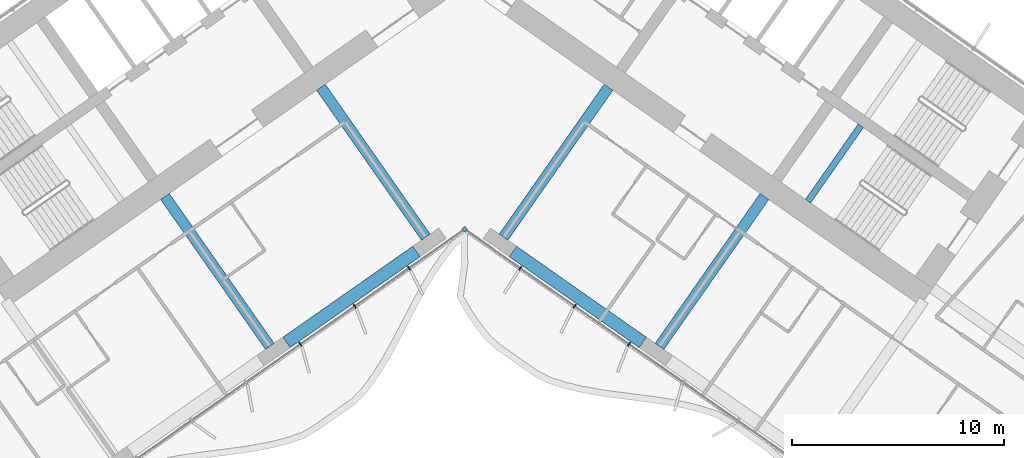
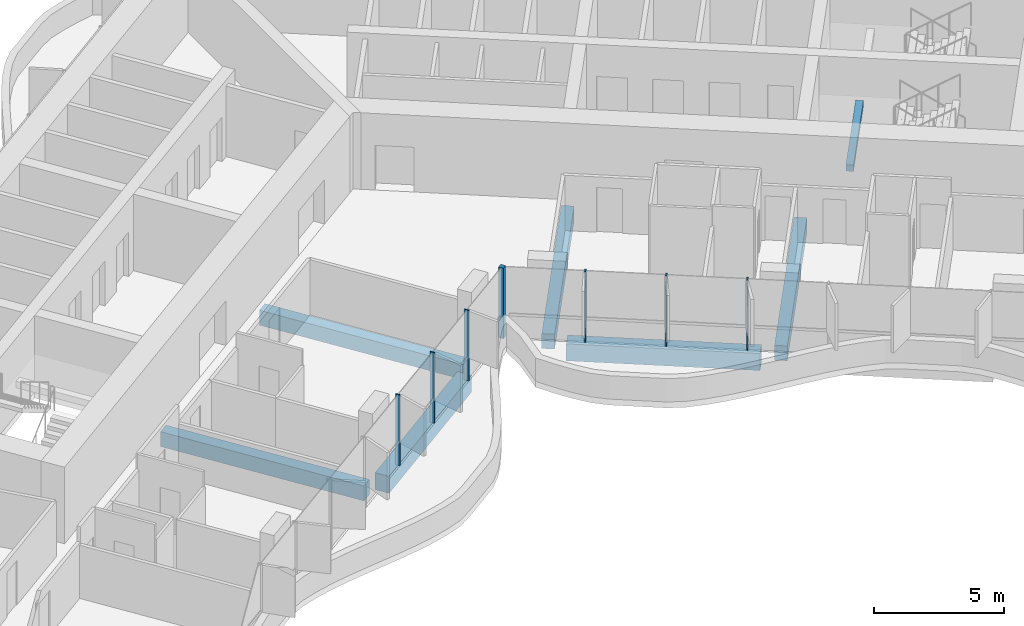
# One storey, part 6 of 24: 7 beams, 7 members, 1 element without a shape of its own.
"""IFC4 building model written with IfcOpenShell, lengths in metres."""

from ifc_helpers import new_model, si_unit, direction, frame, origin, origin_2d, place, context, subcontext, project, spatial, rectangle, extrude, material, material_profile, profile_set, type_object, element, aggregate, save


model = new_model("IFC4")

# Units and contexts
model_context = context("Model", 3, precision=1e-05, world=origin(), true_north=direction((0.0, 1.0)))
body_context = subcontext(model_context, "Body", "Model", "MODEL_VIEW")
ifc_project = project(units=[si_unit("LENGTHUNIT", "METRE"), si_unit("AREAUNIT", "SQUARE_METRE"), si_unit("VOLUMEUNIT", "CUBIC_METRE"), si_unit("PLANEANGLEUNIT", "RADIAN"), si_unit("MASSUNIT", "GRAM", prefix="KILO")], contexts=[model_context])

# Site, building, storey
site_placement = place(None, origin())
site = spatial("IfcSite", under=ifc_project, at=site_placement, CompositionType="ELEMENT")
building_placement = place(site_placement, origin())
building = spatial("IfcBuilding", under=site, at=building_placement, Name="Tel Ilan Convention Tower", CompositionType="ELEMENT")
storey_placement = place(building_placement, frame((0.0, 0.0, 65.300048828125)))
storey = spatial("IfcBuildingStorey", under=building, at=storey_placement, Name="L11", CompositionType="ELEMENT", Elevation=65.300048828125)

# Beams
ifc_material_1 = material(Name="Concrete C40/50", Category="concrete")
ifc_material_profile_1 = material_profile(ifc_material_1, rectangle(XDim=0.5, YDim=0.699951171875, at=origin_2d()), Name="RC 500x700")
ifc_profile_set_1 = profile_set([ifc_material_profile_1], Name="Concrete C40/50")
beam_type_1 = type_object("IfcBeamType", Name="Beam RC 500x700 Concrete C40/50", PredefinedType="BEAM", material=ifc_profile_set_1)
for number, where, z_axis, x_axis, name in (
    (1, (-1.83740234375, -13.06689453125, -0.630126953125), (-0.573574099654, 0.819153680457, 0.0), (-0.819153680457, -0.573574099654, 0.0), "L11 beam W-W-F1-core"),
    (2, (-9.209716796875, -18.229248046875, -0.630126953125), (-0.573574099654, 0.819153680457, 0.0), (-0.819153680457, -0.573574099654, 0.0), "L11 beam W-W-F2-core"),
    (3, (1.83740234375, -13.06689453125, -0.630126953125), (0.573574099654, 0.819153680457, 0.0), (-0.819153680457, 0.573574099654, 0.0), "L11 beam E-E-F1-core"),
    (4, (9.209716796875, -18.229248046875, -0.630126953125), (0.573574099654, 0.819153680457, 0.0), (-0.819153680457, 0.573574099654, 0.0), "L11 beam E-E-F2-core"),
):
    element("IfcBeam", number, at=place(storey_placement, frame(where, z_axis=z_axis, x_axis=x_axis)), inside=storey, type_object=beam_type_1, Name=name, PredefinedType="BEAM", context=body_context, shape_type="SweptSolid", body=[
        extrude(rectangle(XDim=0.5, YDim=0.699951171875, at=origin_2d()), origin(), (0.0, 0.0, 1.0), 8.64990234375),
    ])
ifc_material_2 = material(Name="Concrete C40/50", Category="concrete")
ifc_material_profile_2 = material_profile(ifc_material_2, rectangle(XDim=0.60009765625, YDim=0.800048828125, at=origin_2d()), Name="RC 600x800")
ifc_profile_set_2 = profile_set([ifc_material_profile_2], Name="Concrete C40/50")
beam_type_2 = type_object("IfcBeamType", Name="Beam RC 600x800 Concrete C40/50", PredefinedType="BEAM", material=ifc_profile_set_2)
for number, where, z_axis, x_axis, name in (
    (5, (-2.279541015625, -13.742919921875, -0.679931640625), (-0.819147803225, -0.57358249317, 0.0), (0.57358249317, -0.819147803225, 0.0), "L11 beam W-W-F1-W-F2"),
    (6, (2.279541015625, -13.742919921875, -0.679931640625), (0.819147803225, -0.57358249317, 0.0), (0.57358249317, 0.819147803225, 0.0), "L11 beam E-E-F1-E-F2"),
):
    element("IfcBeam", number, at=place(storey_placement, frame(where, z_axis=z_axis, x_axis=x_axis)), inside=storey, type_object=beam_type_2, Name=name, PredefinedType="BEAM", context=body_context, shape_type="SweptSolid", body=[
        extrude(rectangle(XDim=0.60009765625, YDim=0.800048828125, at=origin_2d()), origin(), (0.0, 0.0, 1.0), 7.500244140625),
    ])

# Curtain wall, members
ifc_material_3 = material(Name="Aluminium, bronze anodised", Category="aluminium")
curtain_wall_type = type_object("IfcCurtainWallType", Name="CW1 UNITISED CURTAIN WALL, HOTEL TINTED GLASS", PredefinedType="NOTDEFINED", material=ifc_material_3)
curtain_wall_placement = place(storey_placement, origin())
curtain_wall = element("IfcCurtainWall", 7, at=curtain_wall_placement, inside=storey, type_object=curtain_wall_type, Name="Curtain wall CW1-12.02", PredefinedType="NOTDEFINED")
ifc_material_4 = material(Name="Aluminium, bronze anodised", Category="aluminium")
ifc_material_profile_3 = material_profile(ifc_material_4, rectangle(XDim=0.199951171875, YDim=0.199951171875, at=origin_2d()), Name="CW CORNER MULLION 200x200")
ifc_profile_set_3 = profile_set([ifc_material_profile_3], Name="Aluminium, bronze anodised")
member_type_1 = type_object("IfcMemberType", Name="CW CORNER MULLION 200x200", PredefinedType="MULLION", material=ifc_profile_set_3)
member_1_placement = place(storey_placement, frame((0.0, -12.696044921875, 0.0), z_axis=(0.0, 0.0, 1.0), x_axis=(0.819152044289, 0.573576436351, 0.0)))
member_1 = element("IfcMember", 8, at=member_1_placement, type_object=member_type_1, Name="Corner mullion", PredefinedType="MULLION", context=body_context, shape_type="SweptSolid", body=[
    extrude(rectangle(XDim=0.199951171875, YDim=0.199951171875, at=origin_2d()), origin(), (0.0, 0.0, 1.0), 3.320068359375),
])
ifc_material_5 = material(Name="Aluminium, bronze anodised", Category="aluminium")
ifc_material_profile_4 = material_profile(ifc_material_5, rectangle(XDim=0.06005859375, YDim=0.199951171875, at=origin_2d()), Name="CW MULLION 60x200")
ifc_profile_set_4 = profile_set([ifc_material_profile_4], Name="Aluminium, bronze anodised")
member_type_2 = type_object("IfcMemberType", Name="CW MULLION 60x200", PredefinedType="MULLION", material=ifc_profile_set_4)
member_2_placement = place(storey_placement, frame((-7.76708984375, -18.134765625, 0.0), z_axis=(0.0, 0.0, 1.0), x_axis=(0.819152044289, 0.573576436351, 0.0)))
member_2 = element("IfcMember", 9, at=member_2_placement, type_object=member_type_2, Name="Mullion", PredefinedType="MULLION", context=body_context, shape_type="SweptSolid", body=[
    extrude(rectangle(XDim=0.06005859375, YDim=0.199951171875, at=origin_2d()), origin(), (0.0, 0.0, 1.0), 3.320068359375),
])
member_3_placement = place(storey_placement, frame((-5.197265625, -16.335205078125, 0.0), z_axis=(0.0, 0.0, 1.0), x_axis=(0.819152044289, 0.573576436351, 0.0)))
member_3 = element("IfcMember", 10, at=member_3_placement, type_object=member_type_2, Name="Mullion", PredefinedType="MULLION", context=body_context, shape_type="SweptSolid", body=[
    extrude(rectangle(XDim=0.06005859375, YDim=0.199951171875, at=origin_2d()), origin(), (0.0, 0.0, 1.0), 3.320068359375),
])
member_4_placement = place(storey_placement, frame((-2.627197265625, -14.53564453125, 0.0), z_axis=(0.0, 0.0, 1.0), x_axis=(0.819152044289, 0.573576436351, 0.0)))
member_4 = element("IfcMember", 11, at=member_4_placement, type_object=member_type_2, Name="Mullion", PredefinedType="MULLION", context=body_context, shape_type="SweptSolid", body=[
    extrude(rectangle(XDim=0.06005859375, YDim=0.199951171875, at=origin_2d()), origin(), (0.0, 0.0, 1.0), 3.320068359375),
])
member_5_placement = place(storey_placement, frame((2.627197265625, -14.53564453125, 0.0), z_axis=(0.0, 0.0, 1.0), x_axis=(0.819152044289, -0.573576436351, 0.0)))
member_5 = element("IfcMember", 12, at=member_5_placement, type_object=member_type_2, Name="Mullion", PredefinedType="MULLION", context=body_context, shape_type="SweptSolid", body=[
    extrude(rectangle(XDim=0.06005859375, YDim=0.199951171875, at=origin_2d()), origin(), (0.0, 0.0, 1.0), 3.320068359375),
])
member_6_placement = place(storey_placement, frame((5.197265625, -16.335205078125, 0.0), z_axis=(0.0, 0.0, 1.0), x_axis=(0.819152044289, -0.573576436351, 0.0)))
member_6 = element("IfcMember", 13, at=member_6_placement, type_object=member_type_2, Name="Mullion", PredefinedType="MULLION", context=body_context, shape_type="SweptSolid", body=[
    extrude(rectangle(XDim=0.06005859375, YDim=0.199951171875, at=origin_2d()), origin(), (0.0, 0.0, 1.0), 3.320068359375),
])
member_7_placement = place(storey_placement, frame((7.76708984375, -18.134765625, 0.0), z_axis=(0.0, 0.0, 1.0), x_axis=(0.819152044289, -0.573576436351, 0.0)))
member_7 = element("IfcMember", 14, at=member_7_placement, type_object=member_type_2, Name="Mullion", PredefinedType="MULLION", context=body_context, shape_type="SweptSolid", body=[
    extrude(rectangle(XDim=0.06005859375, YDim=0.199951171875, at=origin_2d()), origin(), (0.0, 0.0, 1.0), 3.320068359375),
])
aggregate(curtain_wall, [member_2, member_3, member_4, member_1, member_5, member_6, member_7])

# Beam
ifc_material_6 = material(Name="Concrete C40/50", Category="concrete")
ifc_material_profile_5 = material_profile(ifc_material_6, rectangle(XDim=0.300048828125, YDim=0.300048828125, at=origin_2d()), Name="RC 300x300")
ifc_profile_set_5 = profile_set([ifc_material_profile_5], Name="Concrete C40/50")
beam_type_3 = type_object("IfcBeamType", Name="Landing Beam RC 300x300 Concrete C40/50", PredefinedType="BEAM", material=ifc_profile_set_5)
beam_placement = place(storey_placement, frame((18.726806640625, -7.80224609375, 1.449951171875), z_axis=(-0.573594173421, -0.819139624372, 0.0), x_axis=(0.819139624372, -0.573594173421, 0.0)))
element("IfcBeam", 15, at=beam_placement, inside=storey, type_object=beam_type_3, Name="S4 landing beam L11.1", PredefinedType="BEAM", context=body_context, shape_type="SweptSolid", body=[
    extrude(rectangle(XDim=0.300048828125, YDim=0.300048828125, at=origin_2d()), origin(), (0.0, 0.0, 1.0), 4.349853515625),
])

save(model, "model.ifc")
